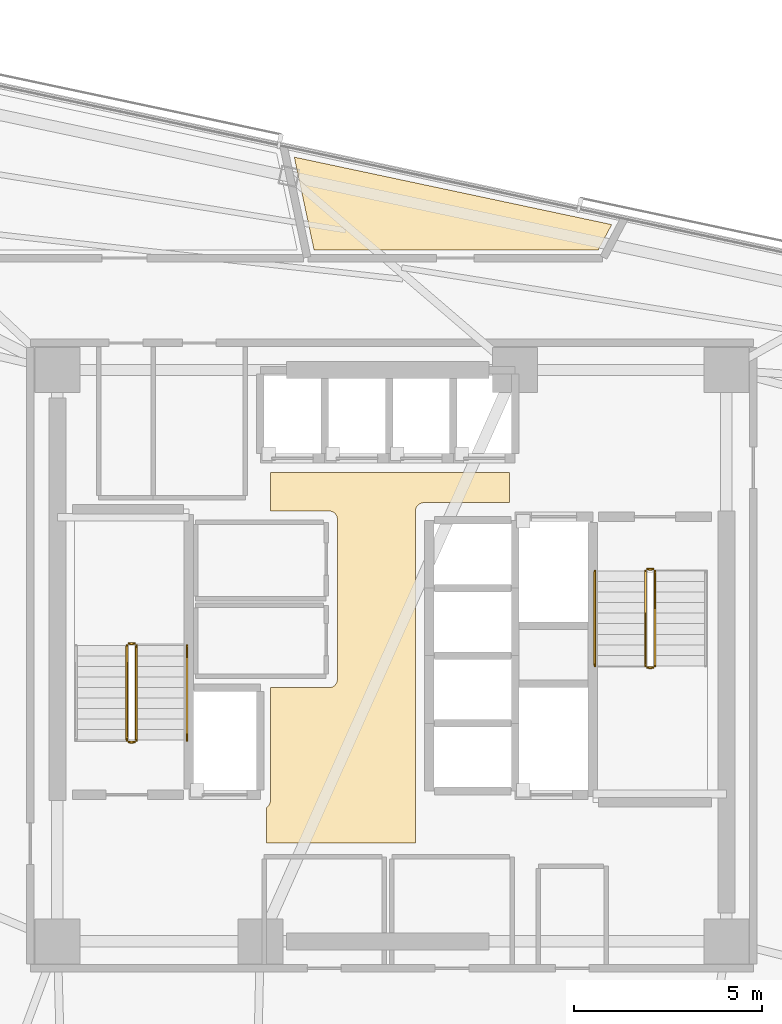
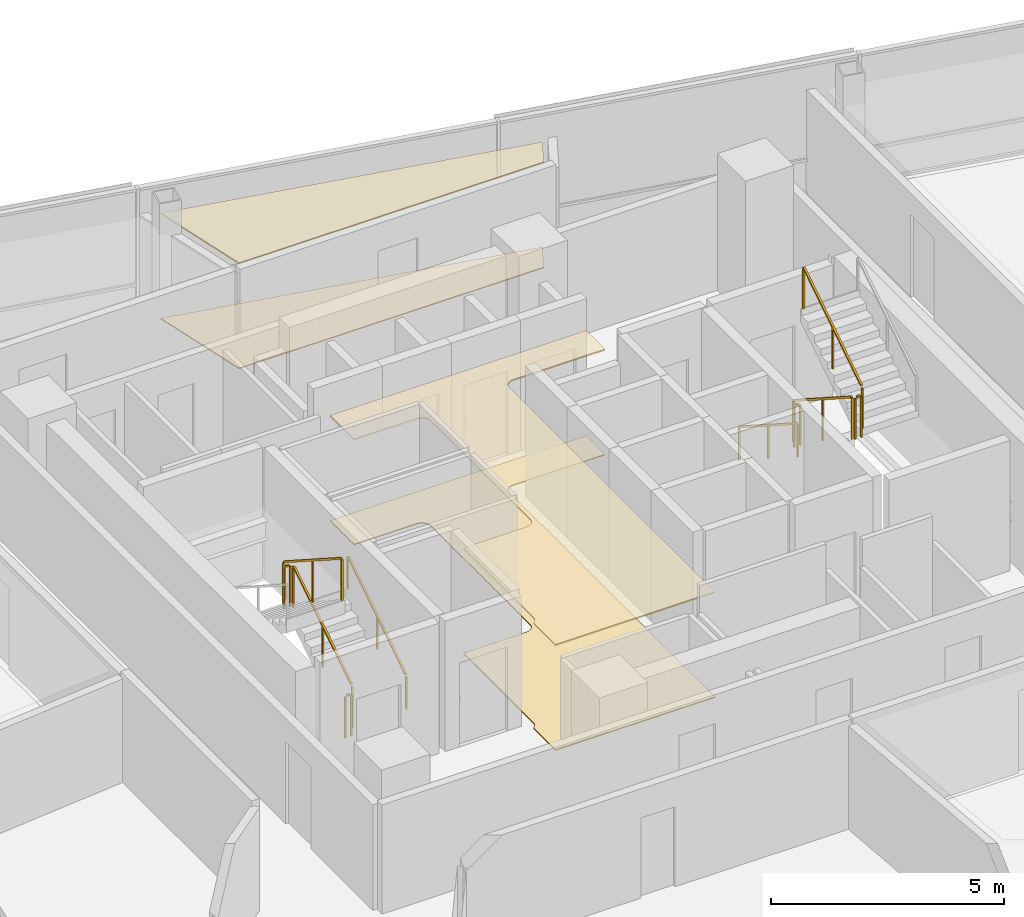
# One storey, part 16 of 17: 10 railings, 4 coverings.
"""IFC4 building model written with IfcOpenShell, lengths in metres."""

from ifc_helpers import new_model, si_unit, direction, frame, origin, origin_2d, place, context, subcontext, project, spatial, polyline, rectangle, outline, extrude, material, layer, layer_set, type_object, element, save


model = new_model("IFC4")

# Units and contexts
model_context = context("Model", 3, precision=1e-05, world=origin(), true_north=direction((0.0, 1.0)))
body_context = subcontext(model_context, "Body", "Model", "MODEL_VIEW")
ifc_project = project(units=[si_unit("LENGTHUNIT", "METRE"), si_unit("AREAUNIT", "SQUARE_METRE"), si_unit("VOLUMEUNIT", "CUBIC_METRE"), si_unit("PLANEANGLEUNIT", "RADIAN"), si_unit("MASSUNIT", "GRAM", prefix="KILO")], contexts=[model_context])

# Site, building, storey
site_placement = place(None, origin())
site = spatial("IfcSite", under=ifc_project, at=site_placement, CompositionType="ELEMENT")
building_placement = place(site_placement, origin())
building = spatial("IfcBuilding", under=site, at=building_placement, Name="Tharavind Bronze Gate", CompositionType="ELEMENT")
storey_placement = place(building_placement, frame((0.0, 0.0, 204.050048828125)))
storey = spatial("IfcBuildingStorey", under=building, at=storey_placement, Name="L52", CompositionType="ELEMENT", Elevation=204.050048828125)

# Coverings
ifc_material_1 = material(Name="Perforated Bronze Acoustic Panel", Category="bronze")
ifc_layer_1 = layer(ifc_material_1, 0.044921875)
ifc_layer_set_1 = layer_set([ifc_layer_1], Name="Perforated Bronze Acoustic Panel")
covering_type_1 = type_object("IfcCoveringType", Name="ACOUSTIC BRONZE BAFFLE CEILING", PredefinedType="CEILING", material=ifc_layer_set_1)
covering_1_placement = place(storey_placement, frame((0.0, 0.0, 2.75)))
element("IfcCovering", 1, at=covering_1_placement, inside=storey, type_object=covering_type_1, Name="L52-C-LL suspended ceiling", PredefinedType="CEILING", context=body_context, shape_type="SweptSolid", body=[
    extrude(outline(polyline([(-3.330078125, -4.97998046875), (0.6298828125, -4.97998046875), (0.6298828125, 3.85009765625), (0.631103515625, 3.87158203125), (0.63427734375, 3.892822265625), (0.639404296875, 3.913818359375), (0.646728515625, 3.93408203125), (0.656005859375, 3.95361328125), (0.6669921875, 3.97216796875), (0.679931640625, 3.989501953125), (0.6943359375, 4.005615234375), (0.71044921875, 4.02001953125), (0.727783203125, 4.032958984375), (0.746337890625, 4.0439453125), (0.765869140625, 4.05322265625), (0.7861328125, 4.060546875), (0.80712890625, 4.06591796875), (0.828369140625, 4.06884765625), (0.85009765625, 4.070068359375), (3.1298828125, 4.070068359375), (3.1298828125, 4.8798828125), (-3.22998046875, 4.8798828125), (-3.22998046875, 3.85009765625), (-1.669921875, 3.85009765625), (-1.6484375, 3.848876953125), (-1.627197265625, 3.845703125), (-1.606201171875, 3.840576171875), (-1.585693359375, 3.833251953125), (-1.56640625, 3.823974609375), (-1.5478515625, 3.81298828125), (-1.530517578125, 3.800048828125), (-1.514404296875, 3.78564453125), (-1.5, 3.76953125), (-1.487060546875, 3.752197265625), (-1.47607421875, 3.733642578125), (-1.466796875, 3.714111328125), (-1.45947265625, 3.69384765625), (-1.4541015625, 3.6728515625), (-1.451171875, 3.651611328125), (-1.449951171875, 3.6298828125), (-1.449951171875, 1.43994140625), (-1.450439453125, 1.429931640625), (-1.449951171875, 1.419921875), (-1.449951171875, -0.6298828125), (-1.451171875, -0.651611328125), (-1.4541015625, -0.6728515625), (-1.45947265625, -0.69384765625), (-1.466796875, -0.714111328125), (-1.47607421875, -0.733642578125), (-1.487060546875, -0.752197265625), (-1.5, -0.76953125), (-1.514404296875, -0.78564453125), (-1.530517578125, -0.800048828125), (-1.5478515625, -0.81298828125), (-1.56640625, -0.823974609375), (-1.585693359375, -0.833251953125), (-1.606201171875, -0.840576171875), (-1.627197265625, -0.845703125), (-1.6484375, -0.848876953125), (-1.669921875, -0.85009765625), (-3.22998046875, -0.85009765625), (-3.22998046875, -3.85009765625), (-3.231201171875, -3.87158203125), (-3.234130859375, -3.892822265625), (-3.239501953125, -3.913818359375), (-3.24658203125, -3.93408203125), (-3.256103515625, -3.95361328125), (-3.26708984375, -3.97216796875), (-3.27978515625, -3.989501953125), (-3.29443359375, -4.005615234375), (-3.310302734375, -4.02001953125), (-3.327880859375, -4.032958984375), (-3.330078125, -4.0341796875), (-3.330078125, -4.97998046875)])), origin(), (0.0, 0.0, 1.0), 0.034912109375),
])
ifc_material_2 = material(Name="Engineered Oak & Carpet Tile", Category="wood")
ifc_layer_2 = layer(ifc_material_2, 0.02490234375)
ifc_layer_set_2 = layer_set([ifc_layer_2], Name="Engineered Oak & Carpet Tile")
covering_type_2 = type_object("IfcCoveringType", Name="ENGINEERED TIMBER FLOORING", PredefinedType="FLOORING", material=ifc_layer_set_2)
covering_2_placement = place(storey_placement, origin())
element("IfcCovering", 2, at=covering_2_placement, inside=storey, type_object=covering_type_2, Name="L52-RM-02 floor finish", PredefinedType="FLOORING", context=body_context, shape_type="SweptSolid", body=[
    extrude(outline(polyline([(-2.07080078125, 10.800048828125), (5.493408203125, 10.800048828125), (5.84912109375, 11.469482421875), (-2.594482421875, 13.26416015625), (-2.07080078125, 10.800048828125)])), origin(), (0.0, 0.0, 1.0), 0.02490234375),
])
ifc_material_3 = material(Name="Acoustic Gypsum Board", Category="gypsum")
ifc_layer_3 = layer(ifc_material_3, 0.030029296875)
ifc_layer_set_3 = layer_set([ifc_layer_3], Name="Acoustic Gypsum Board")
covering_type_3 = type_object("IfcCoveringType", Name="GYPSUM SUSPENDED CEILING", PredefinedType="CEILING", material=ifc_layer_set_3)
covering_3_placement = place(storey_placement, frame((0.0, 0.0, 2.75)))
element("IfcCovering", 3, at=covering_3_placement, inside=storey, type_object=covering_type_3, Name="L52-RM-02 suspended ceiling", PredefinedType="CEILING", context=body_context, shape_type="SweptSolid", body=[
    extrude(outline(polyline([(-2.07080078125, 10.800048828125), (5.493408203125, 10.800048828125), (5.84912109375, 11.469482421875), (-2.594482421875, 13.26416015625), (-2.07080078125, 10.800048828125)])), origin(), (0.0, 0.0, 1.0), 0.034912109375),
])
ifc_material_4 = material(Name="Honed Travertine Limestone", Category="masonry")
ifc_layer_4 = layer(ifc_material_4, 0.030029296875)
ifc_layer_set_4 = layer_set([ifc_layer_4], Name="Honed Travertine Limestone")
covering_type_4 = type_object("IfcCoveringType", Name="HONED LIMESTONE FLOORING", PredefinedType="FLOORING", material=ifc_layer_set_4)
covering_4_placement = place(storey_placement, origin())
element("IfcCovering", 4, at=covering_4_placement, inside=storey, type_object=covering_type_4, Name="L52-C-LL floor finish", PredefinedType="FLOORING", context=body_context, shape_type="SweptSolid", body=[
    extrude(outline(polyline([(-3.330078125, -4.97998046875), (0.6298828125, -4.97998046875), (0.6298828125, 3.85009765625), (0.631103515625, 3.87158203125), (0.63427734375, 3.892822265625), (0.639404296875, 3.913818359375), (0.646728515625, 3.93408203125), (0.656005859375, 3.95361328125), (0.6669921875, 3.97216796875), (0.679931640625, 3.989501953125), (0.6943359375, 4.005615234375), (0.71044921875, 4.02001953125), (0.727783203125, 4.032958984375), (0.746337890625, 4.0439453125), (0.765869140625, 4.05322265625), (0.7861328125, 4.060546875), (0.80712890625, 4.06591796875), (0.828369140625, 4.06884765625), (0.85009765625, 4.070068359375), (3.1298828125, 4.070068359375), (3.1298828125, 4.8798828125), (-3.22998046875, 4.8798828125), (-3.22998046875, 3.85009765625), (-1.669921875, 3.85009765625), (-1.6484375, 3.848876953125), (-1.627197265625, 3.845703125), (-1.606201171875, 3.840576171875), (-1.585693359375, 3.833251953125), (-1.56640625, 3.823974609375), (-1.5478515625, 3.81298828125), (-1.530517578125, 3.800048828125), (-1.514404296875, 3.78564453125), (-1.5, 3.76953125), (-1.487060546875, 3.752197265625), (-1.47607421875, 3.733642578125), (-1.466796875, 3.714111328125), (-1.45947265625, 3.69384765625), (-1.4541015625, 3.6728515625), (-1.451171875, 3.651611328125), (-1.449951171875, 3.6298828125), (-1.449951171875, 1.43994140625), (-1.450439453125, 1.429931640625), (-1.449951171875, 1.419921875), (-1.449951171875, -0.6298828125), (-1.451171875, -0.651611328125), (-1.4541015625, -0.6728515625), (-1.45947265625, -0.69384765625), (-1.466796875, -0.714111328125), (-1.47607421875, -0.733642578125), (-1.487060546875, -0.752197265625), (-1.5, -0.76953125), (-1.514404296875, -0.78564453125), (-1.530517578125, -0.800048828125), (-1.5478515625, -0.81298828125), (-1.56640625, -0.823974609375), (-1.585693359375, -0.833251953125), (-1.606201171875, -0.840576171875), (-1.627197265625, -0.845703125), (-1.6484375, -0.848876953125), (-1.669921875, -0.85009765625), (-3.22998046875, -0.85009765625), (-3.22998046875, -3.85009765625), (-3.231201171875, -3.87158203125), (-3.234130859375, -3.892822265625), (-3.239501953125, -3.913818359375), (-3.24658203125, -3.93408203125), (-3.256103515625, -3.95361328125), (-3.26708984375, -3.97216796875), (-3.27978515625, -3.989501953125), (-3.29443359375, -4.005615234375), (-3.310302734375, -4.02001953125), (-3.327880859375, -4.032958984375), (-3.330078125, -4.0341796875), (-3.330078125, -4.97998046875)])), origin(), (0.0, 0.0, 1.0), 0.02490234375),
])

# Railings
ifc_material_5 = material(Name="Brushed Bronze Alloy", Category="metal")
railing_type_1 = type_object("IfcRailingType", Name="STAIR BRONZE HANDRAIL 900", PredefinedType="HANDRAIL", material=ifc_material_5)
railing_1_placement = place(storey_placement, frame((-5.449951171875, -2.25, 0.179931640625)))
element("IfcRailing", 5, at=railing_1_placement, inside=storey, type_object=railing_type_1, Name="L52 ST1 stair handrail 1", PredefinedType="HANDRAIL", context=body_context, shape_type="SweptSolid", body=[
    extrude(rectangle(XDim=0.048095703125, YDim=0.048095703125, at=origin_2d()), frame((0.0, 0.02685546875, 0.89306640625), z_axis=(0.0, 0.841162588446, 0.540782303519), x_axis=(-1.0, 0.0, 0.0)), (0.0, 0.0, 1.0), 2.931884765625),
    extrude(rectangle(XDim=0.0400390625, YDim=0.0400390625, at=origin_2d()), origin(), (0.0, 0.0, 1.0), 0.847900390625),
    extrude(rectangle(XDim=0.0400390625, YDim=0.0400390625, at=origin_2d()), frame((0.0, 1.260009765625, 0.81005859375)), (0.0, 0.0, 1.0), 0.847900390625),
    extrude(rectangle(XDim=0.0400390625, YDim=0.0400390625, at=origin_2d()), frame((0.0, 2.52001953125, 1.6201171875)), (0.0, 0.0, 1.0), 0.847900390625),
])
railing_2_placement = place(storey_placement, frame((5.39990234375, 2.25, 0.179931640625)))
element("IfcRailing", 6, at=railing_2_placement, inside=storey, type_object=railing_type_1, Name="L52 ST2 stair handrail 1", PredefinedType="HANDRAIL", context=body_context, shape_type="SweptSolid", body=[
    extrude(rectangle(XDim=0.048095703125, YDim=0.048095703125, at=origin_2d()), frame((0.0, -0.02685546875, 0.89306640625), z_axis=(0.0, -0.841162588446, 0.540782303519), x_axis=(1.0, 0.0, 0.0)), (0.0, 0.0, 1.0), 2.931884765625),
    extrude(rectangle(XDim=0.0400390625, YDim=0.0400390625, at=origin_2d()), origin(), (0.0, 0.0, 1.0), 0.847900390625),
    extrude(rectangle(XDim=0.0400390625, YDim=0.0400390625, at=origin_2d()), frame((0.0, -1.260009765625, 0.81005859375)), (0.0, 0.0, 1.0), 0.847900390625),
    extrude(rectangle(XDim=0.0400390625, YDim=0.0400390625, at=origin_2d()), frame((0.0, -2.52001953125, 1.6201171875)), (0.0, 0.0, 1.0), 0.847900390625),
])
railing_type_2 = type_object("IfcRailingType", Name="STAIR WELL GUARD RAILING 1120", PredefinedType="GUARDRAIL", material=ifc_material_5)
railing_3_placement = place(storey_placement, frame((-6.800048828125, -2.25, 0.179931640625)))
element("IfcRailing", 7, at=railing_3_placement, inside=storey, type_object=railing_type_2, Name="L52 ST1 stair guard 1", PredefinedType="GUARDRAIL", context=body_context, shape_type="SweptSolid", body=[
    extrude(rectangle(XDim=0.048095703125, YDim=0.048095703125, at=origin_2d()), frame((0.0, 0.02685546875, 1.11328125), z_axis=(0.0, 0.841162588446, 0.540782303519), x_axis=(-1.0, 0.0, 0.0)), (0.0, 0.0, 1.0), 2.931884765625),
    extrude(rectangle(XDim=0.0400390625, YDim=0.0400390625, at=origin_2d()), origin(), (0.0, 0.0, 1.0), 1.068115234375),
    extrude(rectangle(XDim=0.0400390625, YDim=0.0400390625, at=origin_2d()), frame((0.0, 1.260009765625, 0.81005859375)), (0.0, 0.0, 1.0), 1.068115234375),
    extrude(rectangle(XDim=0.0400390625, YDim=0.0400390625, at=origin_2d()), frame((0.0, 2.52001953125, 1.6201171875)), (0.0, 0.0, 1.0), 1.068115234375),
])
railing_4_placement = place(storey_placement, frame((-6.85009765625, 0.320068359375, 1.800048828125)))
element("IfcRailing", 8, at=railing_4_placement, inside=storey, type_object=railing_type_2, Name="L52 ST1 stair guard 2", PredefinedType="GUARDRAIL", context=body_context, shape_type="SweptSolid", body=[
    extrude(rectangle(XDim=0.048095703125, YDim=0.048095703125, at=origin_2d()), frame((-0.031982421875, 0.0, 1.09619140625), z_axis=(-1.0, 0.0, 0.0), x_axis=(0.0, -1.0, 0.0)), (0.0, 0.0, 1.0), 0.0859375),
    extrude(rectangle(XDim=0.0400390625, YDim=0.0400390625, at=origin_2d()), origin(), (0.0, 0.0, 1.0), 1.068115234375),
    extrude(rectangle(XDim=0.0400390625, YDim=0.0400390625, at=origin_2d()), frame((-0.14990234375, 0.0, 0.0)), (0.0, 0.0, 1.0), 1.068115234375),
])
railing_5_placement = place(storey_placement, frame((-7.050048828125, 0.27001953125, 1.97998046875)))
element("IfcRailing", 9, at=railing_5_placement, inside=storey, type_object=railing_type_2, Name="L52 ST1 stair guard 3", PredefinedType="GUARDRAIL", context=body_context, shape_type="SweptSolid", body=[
    extrude(rectangle(XDim=0.048095703125, YDim=0.048095703125, at=origin_2d()), frame((0.0, -0.02685546875, 1.11328125), z_axis=(0.0, -0.841199657755, 0.540724639528), x_axis=(1.0, 0.0, 0.0)), (0.0, 0.0, 1.0), 2.931640625),
    extrude(rectangle(XDim=0.0400390625, YDim=0.0400390625, at=origin_2d()), origin(), (0.0, 0.0, 1.0), 1.068115234375),
    extrude(rectangle(XDim=0.0400390625, YDim=0.0400390625, at=origin_2d()), frame((0.0, -1.260009765625, 0.81005859375)), (0.0, 0.0, 1.0), 1.068115234375),
    extrude(rectangle(XDim=0.0400390625, YDim=0.0400390625, at=origin_2d()), frame((0.0, -2.52001953125, 1.619873046875)), (0.0, 0.0, 1.0), 1.068115234375),
])
railing_6_placement = place(storey_placement, frame((-6.85009765625, -2.300048828125, 0.0)))
element("IfcRailing", 10, at=railing_6_placement, inside=storey, type_object=railing_type_2, Name="L52 ST1 stair guard 4", PredefinedType="GUARDRAIL", context=body_context, shape_type="SweptSolid", body=[
    extrude(rectangle(XDim=0.048095703125, YDim=0.048095703125, at=origin_2d()), frame((-0.031982421875, 0.0, 1.09619140625), z_axis=(-1.0, 0.0, 0.0), x_axis=(0.0, -1.0, 0.0)), (0.0, 0.0, 1.0), 0.0859375),
    extrude(rectangle(XDim=0.0400390625, YDim=0.0400390625, at=origin_2d()), origin(), (0.0, 0.0, 1.0), 1.068115234375),
    extrude(rectangle(XDim=0.0400390625, YDim=0.0400390625, at=origin_2d()), frame((-0.14990234375, 0.0, 0.0)), (0.0, 0.0, 1.0), 1.068115234375),
])
railing_7_placement = place(storey_placement, frame((6.75, 2.25, 0.179931640625)))
element("IfcRailing", 11, at=railing_7_placement, inside=storey, type_object=railing_type_2, Name="L52 ST2 stair guard 1", PredefinedType="GUARDRAIL", context=body_context, shape_type="SweptSolid", body=[
    extrude(rectangle(XDim=0.048095703125, YDim=0.048095703125, at=origin_2d()), frame((0.0, -0.02685546875, 1.11328125), z_axis=(0.0, -0.841162588446, 0.540782303519), x_axis=(1.0, 0.0, 0.0)), (0.0, 0.0, 1.0), 2.931884765625),
    extrude(rectangle(XDim=0.0400390625, YDim=0.0400390625, at=origin_2d()), origin(), (0.0, 0.0, 1.0), 1.068115234375),
    extrude(rectangle(XDim=0.0400390625, YDim=0.0400390625, at=origin_2d()), frame((0.0, -1.260009765625, 0.81005859375)), (0.0, 0.0, 1.0), 1.068115234375),
    extrude(rectangle(XDim=0.0400390625, YDim=0.0400390625, at=origin_2d()), frame((0.0, -2.52001953125, 1.6201171875)), (0.0, 0.0, 1.0), 1.068115234375),
])
railing_8_placement = place(storey_placement, frame((6.800048828125, -0.320068359375, 1.800048828125)))
element("IfcRailing", 12, at=railing_8_placement, inside=storey, type_object=railing_type_2, Name="L52 ST2 stair guard 2", PredefinedType="GUARDRAIL", context=body_context, shape_type="SweptSolid", body=[
    extrude(rectangle(XDim=0.048095703125, YDim=0.048095703125, at=origin_2d()), frame((0.031982421875, 0.0, 1.09619140625), z_axis=(1.0, 0.0, 0.0), x_axis=(0.0, 1.0, 0.0)), (0.0, 0.0, 1.0), 0.0859375),
    extrude(rectangle(XDim=0.0400390625, YDim=0.0400390625, at=origin_2d()), origin(), (0.0, 0.0, 1.0), 1.068115234375),
    extrude(rectangle(XDim=0.0400390625, YDim=0.0400390625, at=origin_2d()), frame((0.14990234375, 0.0, 0.0)), (0.0, 0.0, 1.0), 1.068115234375),
])
railing_9_placement = place(storey_placement, frame((7.0, -0.27001953125, 1.97998046875)))
element("IfcRailing", 13, at=railing_9_placement, inside=storey, type_object=railing_type_2, Name="L52 ST2 stair guard 3", PredefinedType="GUARDRAIL", context=body_context, shape_type="SweptSolid", body=[
    extrude(rectangle(XDim=0.048095703125, YDim=0.048095703125, at=origin_2d()), frame((0.0, 0.02685546875, 1.11328125), z_axis=(0.0, 0.841199657755, 0.540724639528), x_axis=(-1.0, 0.0, 0.0)), (0.0, 0.0, 1.0), 2.931640625),
    extrude(rectangle(XDim=0.0400390625, YDim=0.0400390625, at=origin_2d()), origin(), (0.0, 0.0, 1.0), 1.068115234375),
    extrude(rectangle(XDim=0.0400390625, YDim=0.0400390625, at=origin_2d()), frame((0.0, 1.260009765625, 0.81005859375)), (0.0, 0.0, 1.0), 1.068115234375),
    extrude(rectangle(XDim=0.0400390625, YDim=0.0400390625, at=origin_2d()), frame((0.0, 2.52001953125, 1.619873046875)), (0.0, 0.0, 1.0), 1.068115234375),
])
railing_10_placement = place(storey_placement, frame((6.800048828125, 2.300048828125, 0.0)))
element("IfcRailing", 14, at=railing_10_placement, inside=storey, type_object=railing_type_2, Name="L52 ST2 stair guard 4", PredefinedType="GUARDRAIL", context=body_context, shape_type="SweptSolid", body=[
    extrude(rectangle(XDim=0.048095703125, YDim=0.048095703125, at=origin_2d()), frame((0.031982421875, 0.0, 1.09619140625), z_axis=(1.0, 0.0, 0.0), x_axis=(0.0, 1.0, 0.0)), (0.0, 0.0, 1.0), 0.0859375),
    extrude(rectangle(XDim=0.0400390625, YDim=0.0400390625, at=origin_2d()), origin(), (0.0, 0.0, 1.0), 1.068115234375),
    extrude(rectangle(XDim=0.0400390625, YDim=0.0400390625, at=origin_2d()), frame((0.14990234375, 0.0, 0.0)), (0.0, 0.0, 1.0), 1.068115234375),
])

save(model, "model.ifc")
